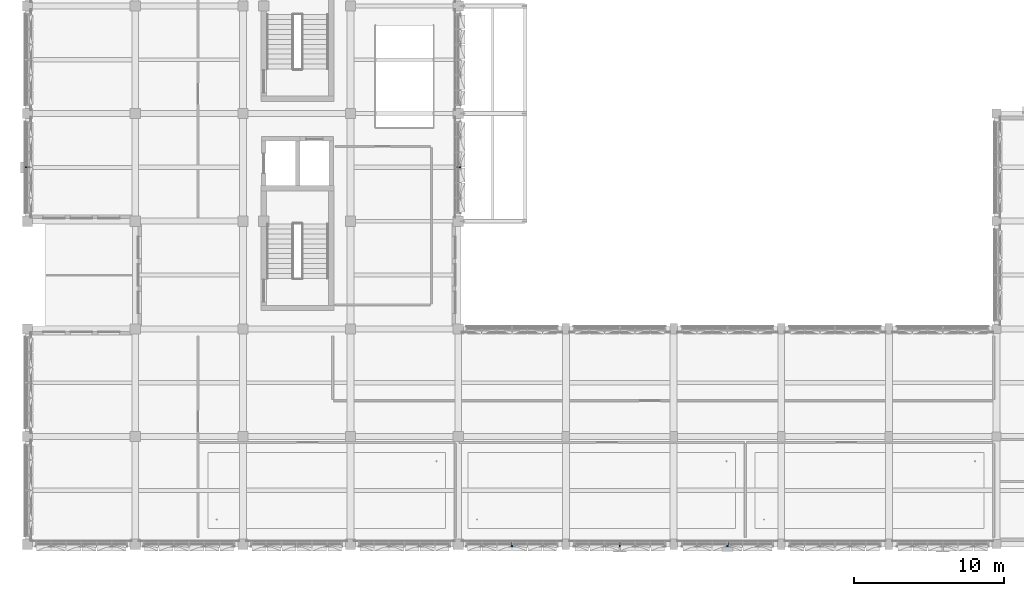
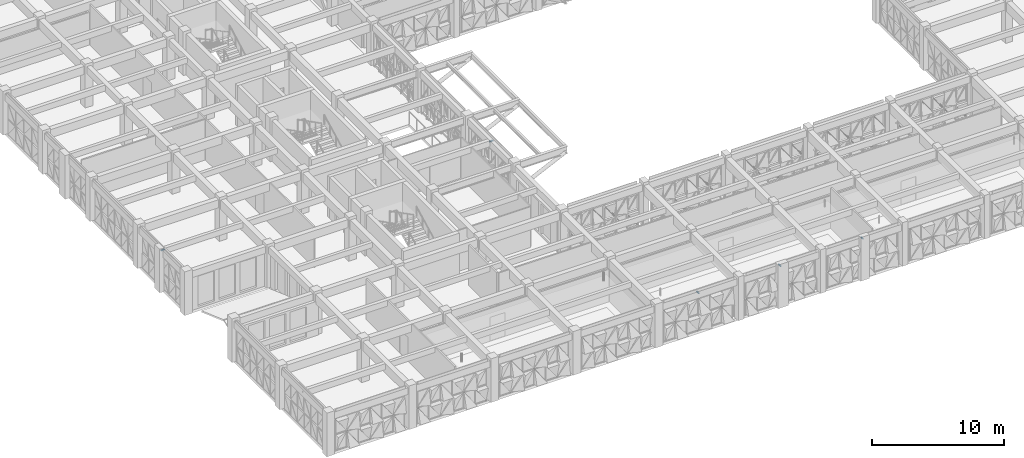
# One storey, part 58 of 88: 5 discrete accessories.
"""IFC4 building model written with IfcOpenShell, lengths in metres."""

import ifcopenshell
import ifcopenshell.guid

model = None  # the IFC model being written
_history = None  # IfcOwnerHistory: only IFC2X3 demands one
_inside = {}  # id of a spatial element -> (the spatial element, [elements in it])
_under = {}  # id of a project, library or spatial element -> (it, [spatial elements below it])
_declared = {}  # id of a project -> (the project, [libraries it declares])
_typed = {}  # id of a type object -> (the type object, [elements of that type])
_made_of = {}  # id of a material, layer set ... -> (it, [elements and type objects made of it])


def new_model(schema):
    """Start an empty IFC model of exactly this schema.

    Asked for "IFC4X3", IfcOpenShell would pick the latest addendum, in which some entities
    have other attributes; the version numbers below select the first issue.
    IFC2X3 requires an IfcOwnerHistory on every rooted entity: one is made here for all.
    """
    global model, _history
    if schema == "IFC4X3":
        model = ifcopenshell.file(schema_version=(4, 3, 0, 0))
    else:
        model = ifcopenshell.file(schema=schema)
    _inside.clear()
    _under.clear()
    _declared.clear()
    _typed.clear()
    _made_of.clear()
    _history = None
    if model.schema == "IFC2X3":
        org = make("IfcOrganization", Name="unknown")
        user = make(
            "IfcPersonAndOrganization",
            ThePerson=make("IfcPerson", FamilyName="unknown"),
            TheOrganization=org,
        )
        app = make(
            "IfcApplication",
            ApplicationDeveloper=org,
            Version="unknown",
            ApplicationFullName="unknown",
            ApplicationIdentifier="unknown",
        )
        _history = make(
            "IfcOwnerHistory",
            OwningUser=user,
            OwningApplication=app,
            ChangeAction="ADDED",
            CreationDate=0,
        )
    return model


def make(cls, **values):
    """One entity of the class cls with the attributes given. An attribute that is None is left unset."""
    return model.create_entity(
        cls, **{name: value for name, value in values.items() if value is not None}
    )


def rooted(cls, **values):
    """An entity with a GlobalId (a new one), such as an element, a storey or a relation."""
    return make(cls, GlobalId=ifcopenshell.guid.new(), OwnerHistory=_history, **values)


def si_unit(unit_type, name, prefix=None):
    """IfcSIUnit, for example si_unit("LENGTHUNIT", "METRE", prefix="MILLI")."""
    return make("IfcSIUnit", UnitType=unit_type, Prefix=prefix, Name=name)


def assignment(units):
    """IfcUnitAssignment: the units of a project."""
    return None if units is None else make("IfcUnitAssignment", Units=units)


def point(xyz):
    """IfcCartesianPoint."""
    return None if xyz is None else make("IfcCartesianPoint", Coordinates=xyz)


def direction(xyz):
    """IfcDirection."""
    return None if xyz is None else make("IfcDirection", DirectionRatios=xyz)


def frame(location, z_axis=None, x_axis=None):
    """IfcAxis2Placement3D, a coordinate frame: its origin and axes. An axis left out is left unset."""
    return make(
        "IfcAxis2Placement3D",
        Location=point(location),
        Axis=direction(z_axis),
        RefDirection=direction(x_axis),
    )


def frame_2d(location, x_axis=None):
    """IfcAxis2Placement2D, a coordinate frame in the plane: its origin and x axis."""
    return make(
        "IfcAxis2Placement2D", Location=point(location), RefDirection=direction(x_axis)
    )


def origin():
    """The frame at (0, 0, 0) with its axes left unset."""
    return frame((0.0, 0.0, 0.0))


def origin_2d():
    """The frame at (0, 0) in the plane with its x axis left unset."""
    return frame_2d((0.0, 0.0))


def place(relative_to, where):
    """IfcLocalPlacement: puts the frame where relative to a parent placement (None: the world)."""
    return make(
        "IfcLocalPlacement", PlacementRelTo=relative_to, RelativePlacement=where
    )


def context(
    kind, dimensions, precision=None, world=None, true_north=None, identifier=None
):
    """IfcGeometricRepresentationContext, for example the 3D "Model" context."""
    return make(
        "IfcGeometricRepresentationContext",
        ContextIdentifier=identifier,
        ContextType=kind,
        CoordinateSpaceDimension=dimensions,
        Precision=precision,
        WorldCoordinateSystem=world,
        TrueNorth=true_north,
    )


def subcontext(parent, identifier, kind, view, scale=None):
    """IfcGeometricRepresentationSubContext, for example "Body" below "Model"."""
    return make(
        "IfcGeometricRepresentationSubContext",
        ContextIdentifier=identifier,
        ContextType=kind,
        ParentContext=parent,
        TargetScale=scale,
        TargetView=view,
    )


def project(units=None, contexts=None):
    """IfcProject with its units and contexts."""
    return rooted(
        "IfcProject",
        Name="project",
        RepresentationContexts=contexts,
        UnitsInContext=assignment(units),
    )


def spatial(cls, under=None, at=None, **own):
    """A site, building, storey or space (cls), placed at a placement, below another one or the project."""
    s = rooted(cls, ObjectPlacement=at, **own)
    if under is not None:
        _under.setdefault(under.id(), (under, []))[1].append(s)
    return s


def profile(cls, at=None, kind="AREA", **sizes):
    """A parametric profile (cls). Its sizes go by their IFC names, for example OverallWidth=200.0."""
    return make(cls, ProfileType=kind, Position=at, **sizes)


def rectangle(**sizes):
    """IfcRectangleProfileDef."""
    return profile("IfcRectangleProfileDef", **sizes)


def extrude(swept, where, along, depth):
    """IfcExtrudedAreaSolid: the profile swept, set in the frame where, extruded along a direction by depth."""
    return make(
        "IfcExtrudedAreaSolid",
        SweptArea=swept,
        Position=where,
        ExtrudedDirection=direction(along),
        Depth=depth,
    )


def shape(context_of_items, identifier, shape_type, items):
    """IfcShapeRepresentation: the items that make up one representation, for example the "Body"."""
    return make(
        "IfcShapeRepresentation",
        ContextOfItems=context_of_items,
        RepresentationIdentifier=identifier,
        RepresentationType=shape_type,
        Items=items,
    )


def material(Name=None, Category=None):
    """IfcMaterial."""
    return make("IfcMaterial", Name=Name, Category=Category)


def made_of(thing, what):
    """Note that an element or type object is made of a material, layer set ...; save() writes the relation."""
    if what is not None:
        _made_of.setdefault(what.id(), (what, []))[1].append(thing)
    return thing


def type_object(cls, material=None, **own):
    """A type object (cls), such as IfcWallType, which elements share."""
    return made_of(rooted(cls, **own), material)


def element(
    cls,
    number,
    at=None,
    inside=None,
    cuts=None,
    type_object=None,
    material=None,
    context=None,
    identifier="Body",
    shape_type=None,
    held_by="IfcProductDefinitionShape",
    body=None,
    shapes=None,
    **own,
):
    """One element of the class cls, such as IfcWall. Its Tag is "e" and its number.

    at: its placement. inside: the storey or other place that contains it. cuts: it is an
    opening in that element (IfcRelVoidsElement). A single representation is given by context,
    identifier, shape_type and body (its items); several are given by shapes. held_by: the class
    of the entity that holds the representations. save() writes the other relations.
    """
    e = rooted(cls, Tag="e%d" % number, ObjectPlacement=at, **own)
    if body is not None:
        shapes = [shape(context, identifier, shape_type, body)]
    if shapes is not None:
        e.Representation = make(held_by, Representations=shapes)
    if inside is not None:
        _inside.setdefault(inside.id(), (inside, []))[1].append(e)
    if cuts is not None:
        rooted(
            "IfcRelVoidsElement", RelatingBuildingElement=cuts, RelatedOpeningElement=e
        )
    if type_object is not None:
        _typed.setdefault(type_object.id(), (type_object, []))[1].append(e)
    return made_of(e, material)


def aggregate(whole, parts):
    """IfcRelAggregates: a whole, such as a stair, and the parts it consists of."""
    return rooted("IfcRelAggregates", RelatingObject=whole, RelatedObjects=parts)


def save(model, path):
    """Write the relations noted so far, then the file.

    IfcRelAggregates (storeys below a building ...), IfcRelContainedInSpatialStructure (elements
    in a storey), IfcRelDefinesByType, IfcRelAssociatesMaterial and IfcRelDeclares: one each for
    every whole, place, type object, material and project.
    """
    for whole, parts in _under.values():
        aggregate(whole, parts)
    for where, things in _inside.values():
        rooted(
            "IfcRelContainedInSpatialStructure",
            RelatedElements=things,
            RelatingStructure=where,
        )
    for kind, things in _typed.values():
        rooted("IfcRelDefinesByType", RelatedObjects=things, RelatingType=kind)
    for what, things in _made_of.values():
        rooted("IfcRelAssociatesMaterial", RelatedObjects=things, RelatingMaterial=what)
    for by, libraries in _declared.values():
        rooted("IfcRelDeclares", RelatingContext=by, RelatedDefinitions=libraries)
    model.write(path)


model = new_model("IFC4")

# Units and contexts
model_context = context("Model", 3, precision=1e-05, world=origin(), true_north=direction((0.0, 1.0)))
body_context = subcontext(model_context, "Body", "Model", "MODEL_VIEW")
ifc_project = project(units=[si_unit("LENGTHUNIT", "METRE"), si_unit("AREAUNIT", "SQUARE_METRE"), si_unit("VOLUMEUNIT", "CUBIC_METRE"), si_unit("PLANEANGLEUNIT", "RADIAN"), si_unit("MASSUNIT", "GRAM", prefix="KILO")], contexts=[model_context])

# Site, building, storey
site_placement = place(None, origin())
site = spatial("IfcSite", under=ifc_project, at=site_placement, CompositionType="ELEMENT")
building_placement = place(site_placement, origin())
building = spatial("IfcBuilding", under=site, at=building_placement, Name="Alvorim Cloister Faculty of Sciences", CompositionType="ELEMENT")
storey_placement = place(building_placement, frame((0.0, 0.0, 4.5)))
storey = spatial("IfcBuildingStorey", under=building, at=storey_placement, Name="L01", CompositionType="ELEMENT", Elevation=4.5)

# Discrete accessories
ifc_material = material(Name="Aluminium Alloy 6063-T6", Category="aluminium")
discrete_accessory_type = type_object("IfcDiscreteAccessoryType", Name="ACC-DIAG-BAR", PredefinedType="BRACKET", material=ifc_material)
discrete_accessory_1_placement = place(storey_placement, frame((0.139892578125, 25.199951171875, 3.610107421875), z_axis=(-1.0, 0.0, 0.0), x_axis=(0.0, -1.0, 0.0)))
element("IfcDiscreteAccessory", 1, at=discrete_accessory_1_placement, inside=storey, type_object=discrete_accessory_type, Name="Slab-Edge Fascia Tie Bracket ACC-00013", PredefinedType="BRACKET", context=body_context, shape_type="SweptSolid", body=[
    extrude(rectangle(XDim=0.080078125, YDim=0.080078125, at=origin_2d()), origin(), (0.0, 0.0, 1.0), 0.2998046875),
])
discrete_accessory_2_placement = place(storey_placement, frame((28.659912109375, 25.199951171875, 3.610107421875), z_axis=(1.0, 0.0, 0.0), x_axis=(0.0, 1.0, 0.0)))
element("IfcDiscreteAccessory", 2, at=discrete_accessory_2_placement, inside=storey, type_object=discrete_accessory_type, Name="Slab-Edge Fascia Tie Bracket ACC-00252", PredefinedType="BRACKET", context=body_context, shape_type="SweptSolid", body=[
    extrude(rectangle(XDim=0.080078125, YDim=0.080078125, at=origin_2d()), origin(), (0.0, 0.0, 1.0), 0.300048828125),
])
for number, where, z_axis, x_axis, name in (
    (3, (46.800048828125, 0.139892578125, 3.610107421875), (0.0, -1.0, 0.0), (1.0, 0.0, 0.0), "Slab-Edge Fascia Tie Bracket ACC-00382"),
    (4, (39.60009765625, 0.139892578125, 3.610107421875), (0.0, -1.0, 0.0), (1.0, 0.0, 0.0), "Slab-Edge Fascia Tie Bracket ACC-00395"),
    (5, (32.39990234375, 0.139892578125, 3.610107421875), (0.0, -1.0, 0.0), (1.0, 0.0, 0.0), "Slab-Edge Fascia Tie Bracket ACC-00408"),
):
    element("IfcDiscreteAccessory", number, at=place(storey_placement, frame(where, z_axis=z_axis, x_axis=x_axis)), inside=storey, type_object=discrete_accessory_type, Name=name, PredefinedType="BRACKET", context=body_context, shape_type="SweptSolid", body=[
        extrude(rectangle(XDim=0.080078125, YDim=0.080078125, at=origin_2d()), origin(), (0.0, 0.0, 1.0), 0.2998046875),
    ])

save(model, "model.ifc")
